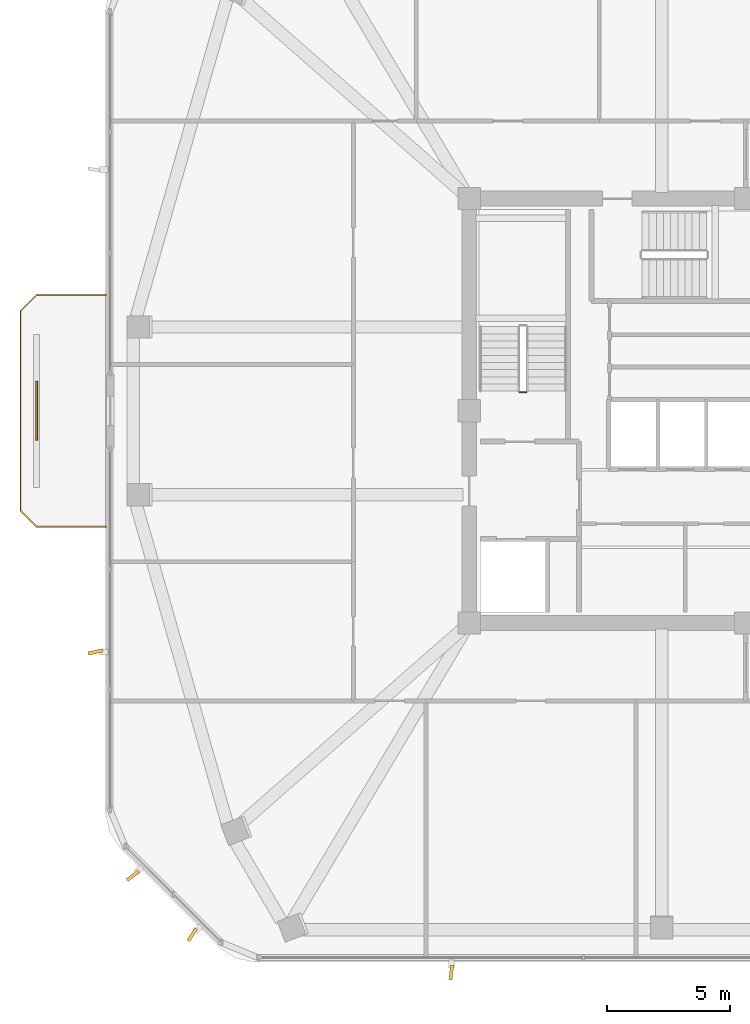
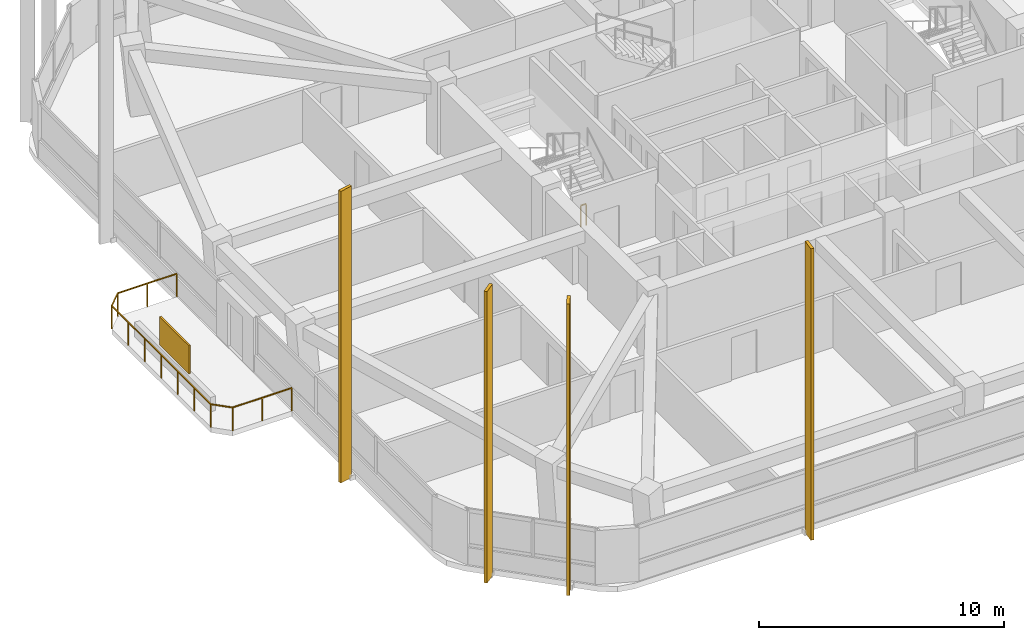
# One storey, part 14 of 17: 5 shading devices, 2 railings.
"""IFC4 building model written with IfcOpenShell, lengths in metres."""

from ifc_helpers import new_model, si_unit, derived_unit, direction, frame, origin, origin_2d, place, context, subcontext, project, spatial, rectangle, extrude, material, layer, layer_set, type_object, element, save


model = new_model("IFC4")

# Units and contexts
model_context = context("Model", 3, precision=1e-05, world=origin(), true_north=direction((0.0, 1.0)))
body_context = subcontext(model_context, "Body", "Model", "MODEL_VIEW")
ifc_project = project(units=[si_unit("LENGTHUNIT", "METRE"), si_unit("AREAUNIT", "SQUARE_METRE"), si_unit("VOLUMEUNIT", "CUBIC_METRE"), si_unit("PLANEANGLEUNIT", "RADIAN"), si_unit("MASSUNIT", "GRAM", prefix="KILO"), derived_unit("THERMALTRANSMITTANCEUNIT", [(si_unit("POWERUNIT", "WATT"), 1), (si_unit("LENGTHUNIT", "METRE"), -2), (si_unit("THERMODYNAMICTEMPERATUREUNIT", "KELVIN"), -1)])], contexts=[model_context])

# Site, building, storey
site_placement = place(None, origin())
site = spatial("IfcSite", under=ifc_project, at=site_placement, CompositionType="ELEMENT")
building_placement = place(site_placement, origin())
building = spatial("IfcBuilding", under=site, at=building_placement, Name="Koralith Skygarden Medical Center", CompositionType="ELEMENT")
storey_placement = place(building_placement, frame((0.0, 0.0, 207.179931640625)))
storey = spatial("IfcBuildingStorey", under=building, at=storey_placement, Name="L53", CompositionType="ELEMENT", Elevation=207.179931640625)

# Shading devices
ifc_material_1 = material(Name="Aluminium 6063-T6", Category="aluminium")
shading_device_type_1 = type_object("IfcShadingDeviceType", Name="Limestone-Clad Solar Storm Fin 600", PredefinedType="USERDEFINED", material=ifc_material_1)
for number, where, z_axis, x_axis, name in (
    (1, (25.070068359375, 3.14306640625, -0.2001953125), (0.0, 0.0, 1.0), (-0.122614206542, -0.992454410214, 0.0), "L53 S Harmonic Solar Storm Fin 1"),
    (2, (10.64697265625, 16.1279296875, -0.2001953125), (0.0, 0.0, 1.0), (-0.977805182602, -0.209516168534, 0.0), "L53 W Harmonic Solar Storm Fin 2"),
    (3, (12.172119140625, 7.06494140625, -0.2001953125), (0.0, 0.0, 1.0), (-0.788472580397, -0.615069906565, 0.0), "L53 SW Harmonic Solar Storm Fin 1"),
    (4, (14.570068359375, 4.6669921875, -0.2001953125), (0.0, 0.0, 1.0), (-0.543262371759, -0.839562978835, 0.0), "L53 SW Harmonic Solar Storm Fin 2"),
):
    element("IfcShadingDevice", number, at=place(storey_placement, frame(where, z_axis=z_axis, x_axis=x_axis)), inside=storey, type_object=shading_device_type_1, Name=name, ObjectType="SOLAR FIN", PredefinedType="USERDEFINED", context=body_context, shape_type="SweptSolid", body=[
        extrude(rectangle(XDim=0.60009765625, YDim=0.139892578125, at=origin_2d()), origin(), (0.0, 0.0, 1.0), 14.550048828125),
    ])

# Railing
ifc_material_2 = material(Name="Steel ASTM A500 Grade C", Category="steel")
railing_type_1 = type_object("IfcRailingType", Name="Outdoor Terrace & Balcony Safety Guardrail 1180", PredefinedType="GUARDRAIL", material=ifc_material_2)
railing_1_placement = place(storey_placement, frame((11.06689453125, 21.199951171875, 0.0)))
element("IfcRailing", 5, at=railing_1_placement, inside=storey, type_object=railing_type_1, Name="L53 W Balcony Perimeter Guardrail", PredefinedType="GUARDRAIL", context=body_context, shape_type="SweptSolid", body=[
    extrude(rectangle(XDim=0.050048828125, YDim=0.050048828125, at=origin_2d()), frame((-0.001953125, 0.0, 1.15478515625), z_axis=(-1.0, 0.0, 0.0), x_axis=(0.0, -1.0, 0.0)), (0.0, 0.0, 1.0), 2.7958984375),
    extrude(rectangle(XDim=0.050048828125, YDim=0.050048828125, at=origin_2d()), frame((-2.80126953125, 0.00146484375, 1.15478515625), z_axis=(-0.707106781187, 0.707106781187, 0.0), x_axis=(-0.707106781187, -0.707106781187, 0.0)), (0.0, 0.0, 1.0), 0.91552734375),
    extrude(rectangle(XDim=0.050048828125, YDim=0.050048828125, at=origin_2d()), frame((-3.449951171875, 0.652099609375, 1.15478515625), z_axis=(0.0, 1.0, 0.0), x_axis=(-1.0, 0.0, 0.0)), (0.0, 0.0, 1.0), 8.095947265625),
    extrude(rectangle(XDim=0.050048828125, YDim=0.050048828125, at=origin_2d()), frame((-3.448486328125, 8.75146484375, 1.15478515625), z_axis=(0.707106781187, 0.707106781187, 0.0), x_axis=(-0.707106781187, 0.707106781187, 0.0)), (0.0, 0.0, 1.0), 0.91552734375),
    extrude(rectangle(XDim=0.050048828125, YDim=0.050048828125, at=origin_2d()), frame((-2.7978515625, 9.400146484375, 1.15478515625), z_axis=(1.0, 0.0, 0.0), x_axis=(0.0, 1.0, 0.0)), (0.0, 0.0, 1.0), 2.7958984375),
    extrude(rectangle(XDim=0.0419921875, YDim=0.0419921875, at=origin_2d()), origin(), (0.0, 0.0, 1.0), 1.1279296875),
    extrude(rectangle(XDim=0.0419921875, YDim=0.0419921875, at=origin_2d()), frame((-1.39990234375, 0.0, 0.0)), (0.0, 0.0, 1.0), 1.1279296875),
    extrude(rectangle(XDim=0.0419921875, YDim=0.0419921875, at=origin_2d()), frame((-2.7998046875, 0.0, 0.0)), (0.0, 0.0, 1.0), 1.1279296875),
    extrude(rectangle(XDim=0.0419921875, YDim=0.0419921875, at=origin_2d()), frame((-3.449951171875, 0.650146484375, 0.0)), (0.0, 0.0, 1.0), 1.1279296875),
    extrude(rectangle(XDim=0.0419921875, YDim=0.0419921875, at=origin_2d()), frame((-3.449951171875, 2.0, 0.0)), (0.0, 0.0, 1.0), 1.1279296875),
    extrude(rectangle(XDim=0.0419921875, YDim=0.0419921875, at=origin_2d()), frame((-3.449951171875, 3.35009765625, 0.0)), (0.0, 0.0, 1.0), 1.1279296875),
    extrude(rectangle(XDim=0.0419921875, YDim=0.0419921875, at=origin_2d()), frame((-3.449951171875, 4.7001953125, 0.0)), (0.0, 0.0, 1.0), 1.1279296875),
    extrude(rectangle(XDim=0.0419921875, YDim=0.0419921875, at=origin_2d()), frame((-3.449951171875, 6.050048828125, 0.0)), (0.0, 0.0, 1.0), 1.1279296875),
    extrude(rectangle(XDim=0.0419921875, YDim=0.0419921875, at=origin_2d()), frame((-3.449951171875, 7.39990234375, 0.0)), (0.0, 0.0, 1.0), 1.1279296875),
    extrude(rectangle(XDim=0.0419921875, YDim=0.0419921875, at=origin_2d()), frame((-3.449951171875, 8.75, 0.0)), (0.0, 0.0, 1.0), 1.1279296875),
    extrude(rectangle(XDim=0.0419921875, YDim=0.0419921875, at=origin_2d()), frame((-2.7998046875, 9.400146484375, 0.0)), (0.0, 0.0, 1.0), 1.1279296875),
    extrude(rectangle(XDim=0.0419921875, YDim=0.0419921875, at=origin_2d()), frame((-1.39990234375, 9.400146484375, 0.0)), (0.0, 0.0, 1.0), 1.1279296875),
    extrude(rectangle(XDim=0.0419921875, YDim=0.0419921875, at=origin_2d()), frame((0.0, 9.400146484375, 0.0)), (0.0, 0.0, 1.0), 1.1279296875),
])

# Shading device
ifc_layer = layer(ifc_material_1, 0.080078125)
ifc_layer_set = layer_set([ifc_layer], Name="Aluminium 6063-T6")
shading_device_type_2 = type_object("IfcShadingDeviceType", Name="Perforated Biophilic Balcony Trellis Screen", PredefinedType="USERDEFINED", material=ifc_layer_set)
shading_device_placement = place(storey_placement, frame((8.26708984375, 25.89990234375, 0.72021484375), z_axis=(0.0, 0.0, 1.0), x_axis=(0.0, 1.0, 0.0)))
element("IfcShadingDevice", 6, at=shading_device_placement, inside=storey, type_object=shading_device_type_2, Name="L53 W Biophilic Balcony Trellis Screen", ObjectType="HURRICANE SCREEN", PredefinedType="USERDEFINED", context=body_context, shape_type="SweptSolid", body=[
    extrude(rectangle(XDim=2.39990234375, YDim=0.080078125, at=origin_2d()), origin(), (0.0, 0.0, 1.0), 1.39990234375),
])

# Railing
railing_type_2 = type_object("IfcRailingType", Name="Stair Well Safety Guardrail 1100", PredefinedType="GUARDRAIL", material=ifc_material_2)
railing_2_placement = place(storey_placement, frame((28.10009765625, 26.64990234375, 0.0)))
element("IfcRailing", 7, at=railing_2_placement, inside=storey, type_object=railing_type_2, Name="L53 ST1 stair guard 4", PredefinedType="GUARDRAIL", context=body_context, shape_type="SweptSolid", body=[
    extrude(rectangle(XDim=0.050048828125, YDim=0.050048828125, at=origin_2d()), frame((-0.001953125, 0.0, 1.0751953125), z_axis=(-1.0, 0.0, 0.0), x_axis=(0.0, -1.0, 0.0)), (0.0, 0.0, 1.0), 0.24609375),
    extrude(rectangle(XDim=0.0419921875, YDim=0.0419921875, at=origin_2d()), origin(), (0.0, 0.0, 1.0), 1.048095703125),
    extrude(rectangle(XDim=0.0419921875, YDim=0.0419921875, at=origin_2d()), frame((-0.25, 0.0, 0.0)), (0.0, 0.0, 1.0), 1.048095703125),
])

save(model, "model.ifc")
